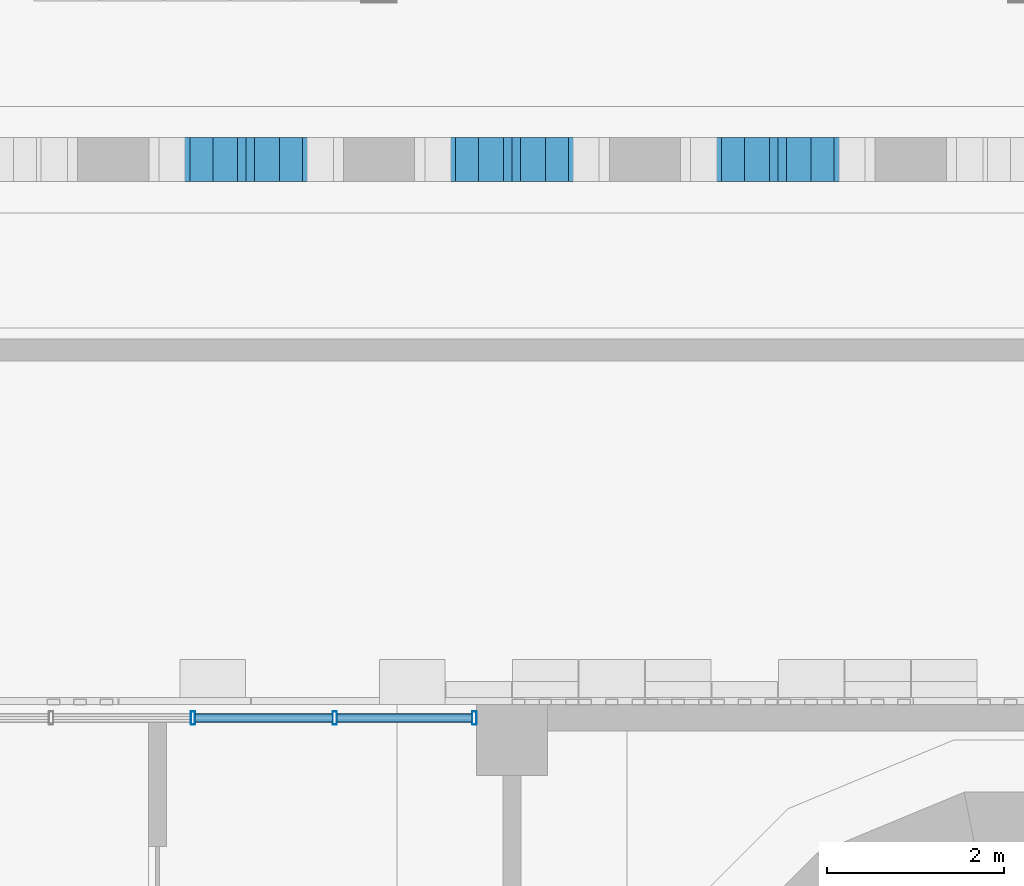
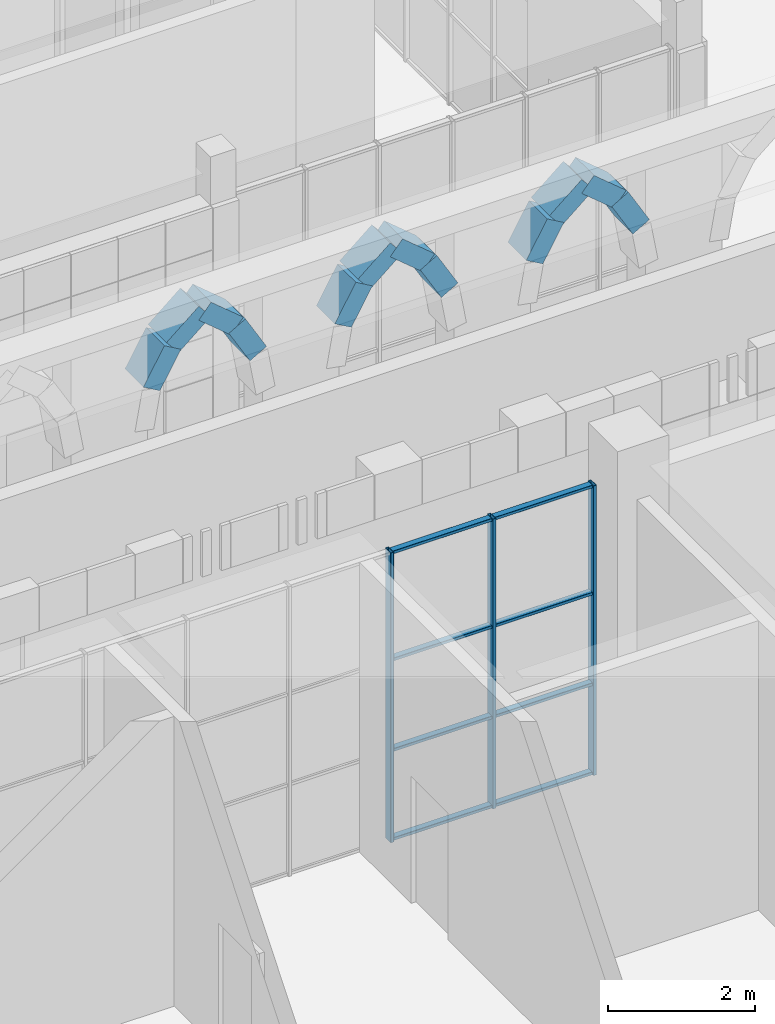
# One storey, part 10 of 125: 23 members, 1 element without a shape of its own.
"""IFC4 building model written with IfcOpenShell, lengths in metres."""

from ifc_helpers import new_model, si_unit, direction, frame, origin, origin_2d, place, context, subcontext, project, spatial, rectangle, hollow_rectangle, extrude, material, material_profile, profile_set, type_object, element, aggregate, save


model = new_model("IFC4")

# Units and contexts
model_context = context("Model", 3, precision=1e-05, world=origin(), true_north=direction((0.0, 1.0)))
body_context = subcontext(model_context, "Body", "Model", "MODEL_VIEW")
ifc_project = project(units=[si_unit("LENGTHUNIT", "METRE"), si_unit("AREAUNIT", "SQUARE_METRE"), si_unit("VOLUMEUNIT", "CUBIC_METRE"), si_unit("PLANEANGLEUNIT", "RADIAN"), si_unit("MASSUNIT", "GRAM", prefix="KILO")], contexts=[model_context])

# Site, building, storey
site_placement = place(None, origin())
site = spatial("IfcSite", under=ifc_project, at=site_placement, CompositionType="ELEMENT")
building_placement = place(site_placement, origin())
building = spatial("IfcBuilding", under=site, at=building_placement, Name="Sun Court Science Centre", CompositionType="ELEMENT")
storey_placement = place(building_placement, origin())
storey = spatial("IfcBuildingStorey", under=building, at=storey_placement, Name="L00", CompositionType="ELEMENT", Elevation=0.0)

# Members
ifc_material_1 = material(Name="Concrete C30/37", Category="concrete")
ifc_material_profile_1 = material_profile(ifc_material_1, rectangle(XDim=0.5, YDim=0.300048828125, at=origin_2d()), Name="RC 500x300")
ifc_profile_set_1 = profile_set([ifc_material_profile_1], Name="Concrete C30/37")
member_type_1 = type_object("IfcMemberType", Name="Arcade arch rib RC 500x300", PredefinedType="MEMBER", material=ifc_profile_set_1)
member_1_placement = place(storey_placement, frame((56.16455078125, 34.14990234375, 3.8798828125), z_axis=(0.500117354631, 0.0, 0.865957638454), x_axis=(0.0, 1.0, 0.0)))
element("IfcMember", 1, at=member_1_placement, inside=storey, type_object=member_type_1, Name="Arcade arch rib AR1 bay 11", PredefinedType="MEMBER", context=body_context, shape_type="SweptSolid", body=[
    extrude(rectangle(XDim=0.5, YDim=0.300048828125, at=origin_2d()), origin(), (0.0, 0.0, 1.0), 0.659912109375),
])
member_2_placement = place(storey_placement, frame((56.49462890625, 34.14990234375, 4.451416015625), z_axis=(0.76603282395, 0.0, 0.642801456619), x_axis=(0.0, 1.0, 0.0)))
element("IfcMember", 2, at=member_2_placement, inside=storey, type_object=member_type_1, Name="Arcade arch rib AR1 bay 11", PredefinedType="MEMBER", context=body_context, shape_type="SweptSolid", body=[
    extrude(rectangle(XDim=0.5, YDim=0.300048828125, at=origin_2d()), origin(), (0.0, 0.0, 1.0), 0.65966796875),
])
member_3_placement = place(storey_placement, frame((57.83544921875, 34.14990234375, 3.8798828125), z_axis=(-0.500117354631, 0.0, 0.865957638454), x_axis=(0.0, -1.0, 0.0)))
element("IfcMember", 3, at=member_3_placement, inside=storey, type_object=member_type_1, Name="Arcade arch rib AR1 bay 11", PredefinedType="MEMBER", context=body_context, shape_type="SweptSolid", body=[
    extrude(rectangle(XDim=0.5, YDim=0.300048828125, at=origin_2d()), origin(), (0.0, 0.0, 1.0), 0.659912109375),
])
member_4_placement = place(storey_placement, frame((57.50537109375, 34.14990234375, 4.451416015625), z_axis=(-0.76603282395, 0.0, 0.642801456619), x_axis=(0.0, -1.0, 0.0)))
element("IfcMember", 4, at=member_4_placement, inside=storey, type_object=member_type_1, Name="Arcade arch rib AR1 bay 11", PredefinedType="MEMBER", context=body_context, shape_type="SweptSolid", body=[
    extrude(rectangle(XDim=0.5, YDim=0.300048828125, at=origin_2d()), origin(), (0.0, 0.0, 1.0), 0.65966796875),
])
member_5_placement = place(storey_placement, frame((59.16455078125, 34.14990234375, 3.8798828125), z_axis=(0.500117354631, 0.0, 0.865957638454), x_axis=(0.0, 1.0, 0.0)))
element("IfcMember", 5, at=member_5_placement, inside=storey, type_object=member_type_1, Name="Arcade arch rib AR1 bay 12", PredefinedType="MEMBER", context=body_context, shape_type="SweptSolid", body=[
    extrude(rectangle(XDim=0.5, YDim=0.300048828125, at=origin_2d()), origin(), (0.0, 0.0, 1.0), 0.659912109375),
])
member_6_placement = place(storey_placement, frame((59.49462890625, 34.14990234375, 4.451416015625), z_axis=(0.76603282395, 0.0, 0.642801456619), x_axis=(0.0, 1.0, 0.0)))
element("IfcMember", 6, at=member_6_placement, inside=storey, type_object=member_type_1, Name="Arcade arch rib AR1 bay 12", PredefinedType="MEMBER", context=body_context, shape_type="SweptSolid", body=[
    extrude(rectangle(XDim=0.5, YDim=0.300048828125, at=origin_2d()), origin(), (0.0, 0.0, 1.0), 0.65966796875),
])
member_7_placement = place(storey_placement, frame((60.83544921875, 34.14990234375, 3.8798828125), z_axis=(-0.500117354631, 0.0, 0.865957638454), x_axis=(0.0, -1.0, 0.0)))
element("IfcMember", 7, at=member_7_placement, inside=storey, type_object=member_type_1, Name="Arcade arch rib AR1 bay 12", PredefinedType="MEMBER", context=body_context, shape_type="SweptSolid", body=[
    extrude(rectangle(XDim=0.5, YDim=0.300048828125, at=origin_2d()), origin(), (0.0, 0.0, 1.0), 0.659912109375),
])
member_8_placement = place(storey_placement, frame((60.50537109375, 34.14990234375, 4.451416015625), z_axis=(-0.76603282395, 0.0, 0.642801456619), x_axis=(0.0, -1.0, 0.0)))
element("IfcMember", 8, at=member_8_placement, inside=storey, type_object=member_type_1, Name="Arcade arch rib AR1 bay 12", PredefinedType="MEMBER", context=body_context, shape_type="SweptSolid", body=[
    extrude(rectangle(XDim=0.5, YDim=0.300048828125, at=origin_2d()), origin(), (0.0, 0.0, 1.0), 0.65966796875),
])
member_9_placement = place(storey_placement, frame((62.16455078125, 34.14990234375, 3.8798828125), z_axis=(0.500117354631, 0.0, 0.865957638454), x_axis=(0.0, 1.0, 0.0)))
element("IfcMember", 9, at=member_9_placement, inside=storey, type_object=member_type_1, Name="Arcade arch rib AR1 bay 13", PredefinedType="MEMBER", context=body_context, shape_type="SweptSolid", body=[
    extrude(rectangle(XDim=0.5, YDim=0.300048828125, at=origin_2d()), origin(), (0.0, 0.0, 1.0), 0.659912109375),
])
member_10_placement = place(storey_placement, frame((62.49462890625, 34.14990234375, 4.451416015625), z_axis=(0.76603282395, 0.0, 0.642801456619), x_axis=(0.0, 1.0, 0.0)))
element("IfcMember", 10, at=member_10_placement, inside=storey, type_object=member_type_1, Name="Arcade arch rib AR1 bay 13", PredefinedType="MEMBER", context=body_context, shape_type="SweptSolid", body=[
    extrude(rectangle(XDim=0.5, YDim=0.300048828125, at=origin_2d()), origin(), (0.0, 0.0, 1.0), 0.65966796875),
])
member_11_placement = place(storey_placement, frame((63.83544921875, 34.14990234375, 3.8798828125), z_axis=(-0.500117354631, 0.0, 0.865957638454), x_axis=(0.0, -1.0, 0.0)))
element("IfcMember", 11, at=member_11_placement, inside=storey, type_object=member_type_1, Name="Arcade arch rib AR1 bay 13", PredefinedType="MEMBER", context=body_context, shape_type="SweptSolid", body=[
    extrude(rectangle(XDim=0.5, YDim=0.300048828125, at=origin_2d()), origin(), (0.0, 0.0, 1.0), 0.659912109375),
])
member_12_placement = place(storey_placement, frame((63.50537109375, 34.14990234375, 4.451416015625), z_axis=(-0.76603282395, 0.0, 0.642801456619), x_axis=(0.0, -1.0, 0.0)))
element("IfcMember", 12, at=member_12_placement, inside=storey, type_object=member_type_1, Name="Arcade arch rib AR1 bay 13", PredefinedType="MEMBER", context=body_context, shape_type="SweptSolid", body=[
    extrude(rectangle(XDim=0.5, YDim=0.300048828125, at=origin_2d()), origin(), (0.0, 0.0, 1.0), 0.65966796875),
])

# Curtain wall, members
ifc_material_2 = material(Name="Aluminium EN AW-6063 T6", Category="aluminium")
curtain_wall_type = type_object("IfcCurtainWallType", Name="Court gallery curtain wall 1500", PredefinedType="NOTDEFINED", material=ifc_material_2)
curtain_wall_placement = place(storey_placement, origin())
curtain_wall = element("IfcCurtainWall", 13, at=curtain_wall_placement, inside=storey, type_object=curtain_wall_type, Name="Curtain wall V2 N L00 02", PredefinedType="NOTDEFINED")
ifc_material_3 = material(Name="Aluminium EN AW-6063 T6", Category="aluminium")
ifc_material_profile_2 = material_profile(ifc_material_3, hollow_rectangle(XDim=0.050048828125, YDim=0.14990234375, WallThickness=0.00390625, InnerFilletRadius=0.00390625, OuterFilletRadius=0.006103515625, at=origin_2d()), Name="AL 50x150x4")
ifc_profile_set_2 = profile_set([ifc_material_profile_2], Name="Aluminium EN AW-6063 T6")
member_type_2 = type_object("IfcMemberType", Name="Curtain wall mullion AL 50x150", PredefinedType="MULLION", material=ifc_profile_set_2)
member_13_placement = place(storey_placement, frame((56.39990234375, 27.85009765625, 0.0), z_axis=(0.0, 0.0, 1.0), x_axis=(1.0, 0.0, 0.0)))
member_13 = element("IfcMember", 14, at=member_13_placement, type_object=member_type_2, Name="CW5-02 mullion 6", PredefinedType="MULLION", context=body_context, shape_type="SweptSolid", body=[
    extrude(hollow_rectangle(XDim=0.050048828125, YDim=0.14990234375, WallThickness=0.00390625, InnerFilletRadius=0.00390625, OuterFilletRadius=0.006103515625, at=origin_2d()), origin(), (0.0, 0.0, 1.0), 4.800048828125),
])
member_14_placement = place(storey_placement, frame((58.0, 27.85009765625, 0.0), z_axis=(0.0, 0.0, 1.0), x_axis=(1.0, 0.0, 0.0)))
member_14 = element("IfcMember", 15, at=member_14_placement, type_object=member_type_2, Name="CW5-02 mullion 7", PredefinedType="MULLION", context=body_context, shape_type="SweptSolid", body=[
    extrude(hollow_rectangle(XDim=0.050048828125, YDim=0.14990234375, WallThickness=0.00390625, InnerFilletRadius=0.00390625, OuterFilletRadius=0.006103515625, at=origin_2d()), origin(), (0.0, 0.0, 1.0), 4.800048828125),
])
member_15_placement = place(storey_placement, frame((59.574951171875, 27.85009765625, 0.0), z_axis=(0.0, 0.0, 1.0), x_axis=(1.0, 0.0, 0.0)))
member_15 = element("IfcMember", 16, at=member_15_placement, type_object=member_type_2, Name="CW5-02 mullion 8", PredefinedType="MULLION", context=body_context, shape_type="SweptSolid", body=[
    extrude(hollow_rectangle(XDim=0.050048828125, YDim=0.14990234375, WallThickness=0.00390625, InnerFilletRadius=0.00390625, OuterFilletRadius=0.006103515625, at=origin_2d()), origin(), (0.0, 0.0, 1.0), 4.800048828125),
])
ifc_material_4 = material(Name="Aluminium EN AW-6063 T6", Category="aluminium")
ifc_material_profile_3 = material_profile(ifc_material_4, hollow_rectangle(XDim=0.050048828125, YDim=0.10009765625, WallThickness=0.00390625, InnerFilletRadius=0.00390625, OuterFilletRadius=0.006103515625, at=origin_2d()), Name="AL 50x100x4")
ifc_profile_set_3 = profile_set([ifc_material_profile_3], Name="Aluminium EN AW-6063 T6")
member_type_3 = type_object("IfcMemberType", Name="Curtain wall transom AL 50x100", PredefinedType="USERDEFINED", material=ifc_profile_set_3)
member_16_placement = place(storey_placement, frame((56.425048828125, 27.85009765625, 0.02490234375), z_axis=(1.0, 0.0, 0.0), x_axis=(0.0, 0.0, 1.0)))
member_16 = element("IfcMember", 17, at=member_16_placement, type_object=member_type_3, Name="CW5-02 transom 6.1", ObjectType="TRANSOM", PredefinedType="USERDEFINED", context=body_context, shape_type="SweptSolid", body=[
    extrude(hollow_rectangle(XDim=0.050048828125, YDim=0.10009765625, WallThickness=0.00390625, InnerFilletRadius=0.00390625, OuterFilletRadius=0.006103515625, at=origin_2d()), origin(), (0.0, 0.0, 1.0), 1.550048828125),
])
member_17_placement = place(storey_placement, frame((58.02490234375, 27.85009765625, 0.02490234375), z_axis=(1.0, 0.0, 0.0), x_axis=(0.0, 0.0, 1.0)))
member_17 = element("IfcMember", 18, at=member_17_placement, type_object=member_type_3, Name="CW5-02 transom 7.1", ObjectType="TRANSOM", PredefinedType="USERDEFINED", context=body_context, shape_type="SweptSolid", body=[
    extrude(hollow_rectangle(XDim=0.050048828125, YDim=0.10009765625, WallThickness=0.00390625, InnerFilletRadius=0.00390625, OuterFilletRadius=0.006103515625, at=origin_2d()), origin(), (0.0, 0.0, 1.0), 1.525146484375),
])
member_18_placement = place(storey_placement, frame((56.425048828125, 27.85009765625, 1.5), z_axis=(1.0, 0.0, 0.0), x_axis=(0.0, 0.0, 1.0)))
member_18 = element("IfcMember", 19, at=member_18_placement, type_object=member_type_3, Name="CW5-02 transom 6.2", ObjectType="TRANSOM", PredefinedType="USERDEFINED", context=body_context, shape_type="SweptSolid", body=[
    extrude(hollow_rectangle(XDim=0.050048828125, YDim=0.10009765625, WallThickness=0.00390625, InnerFilletRadius=0.00390625, OuterFilletRadius=0.006103515625, at=origin_2d()), origin(), (0.0, 0.0, 1.0), 1.550048828125),
])
member_19_placement = place(storey_placement, frame((58.02490234375, 27.85009765625, 1.5), z_axis=(1.0, 0.0, 0.0), x_axis=(0.0, 0.0, 1.0)))
member_19 = element("IfcMember", 20, at=member_19_placement, type_object=member_type_3, Name="CW5-02 transom 7.2", ObjectType="TRANSOM", PredefinedType="USERDEFINED", context=body_context, shape_type="SweptSolid", body=[
    extrude(hollow_rectangle(XDim=0.050048828125, YDim=0.10009765625, WallThickness=0.00390625, InnerFilletRadius=0.00390625, OuterFilletRadius=0.006103515625, at=origin_2d()), origin(), (0.0, 0.0, 1.0), 1.525146484375),
])
member_20_placement = place(storey_placement, frame((56.425048828125, 27.85009765625, 3.0), z_axis=(1.0, 0.0, 0.0), x_axis=(0.0, 0.0, 1.0)))
member_20 = element("IfcMember", 21, at=member_20_placement, type_object=member_type_3, Name="CW5-02 transom 6.3", ObjectType="TRANSOM", PredefinedType="USERDEFINED", context=body_context, shape_type="SweptSolid", body=[
    extrude(hollow_rectangle(XDim=0.050048828125, YDim=0.10009765625, WallThickness=0.00390625, InnerFilletRadius=0.00390625, OuterFilletRadius=0.006103515625, at=origin_2d()), origin(), (0.0, 0.0, 1.0), 1.550048828125),
])
member_21_placement = place(storey_placement, frame((58.02490234375, 27.85009765625, 3.0), z_axis=(1.0, 0.0, 0.0), x_axis=(0.0, 0.0, 1.0)))
member_21 = element("IfcMember", 22, at=member_21_placement, type_object=member_type_3, Name="CW5-02 transom 7.3", ObjectType="TRANSOM", PredefinedType="USERDEFINED", context=body_context, shape_type="SweptSolid", body=[
    extrude(hollow_rectangle(XDim=0.050048828125, YDim=0.10009765625, WallThickness=0.00390625, InnerFilletRadius=0.00390625, OuterFilletRadius=0.006103515625, at=origin_2d()), origin(), (0.0, 0.0, 1.0), 1.525146484375),
])
member_22_placement = place(storey_placement, frame((56.425048828125, 27.85009765625, 4.77490234375), z_axis=(1.0, 0.0, 0.0), x_axis=(0.0, 0.0, 1.0)))
member_22 = element("IfcMember", 23, at=member_22_placement, type_object=member_type_3, Name="CW5-02 transom 6.4", ObjectType="TRANSOM", PredefinedType="USERDEFINED", context=body_context, shape_type="SweptSolid", body=[
    extrude(hollow_rectangle(XDim=0.050048828125, YDim=0.10009765625, WallThickness=0.00390625, InnerFilletRadius=0.00390625, OuterFilletRadius=0.006103515625, at=origin_2d()), origin(), (0.0, 0.0, 1.0), 1.550048828125),
])
member_23_placement = place(storey_placement, frame((58.02490234375, 27.85009765625, 4.77490234375), z_axis=(1.0, 0.0, 0.0), x_axis=(0.0, 0.0, 1.0)))
member_23 = element("IfcMember", 24, at=member_23_placement, type_object=member_type_3, Name="CW5-02 transom 7.4", ObjectType="TRANSOM", PredefinedType="USERDEFINED", context=body_context, shape_type="SweptSolid", body=[
    extrude(hollow_rectangle(XDim=0.050048828125, YDim=0.10009765625, WallThickness=0.00390625, InnerFilletRadius=0.00390625, OuterFilletRadius=0.006103515625, at=origin_2d()), origin(), (0.0, 0.0, 1.0), 1.525146484375),
])
aggregate(curtain_wall, [member_13, member_14, member_15, member_16, member_17, member_18, member_19, member_20, member_21, member_22, member_23])

save(model, "model.ifc")
